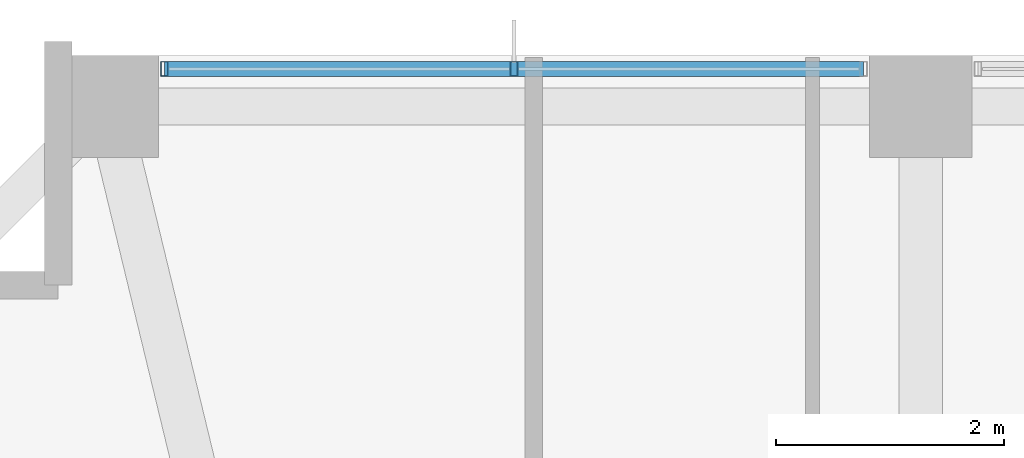
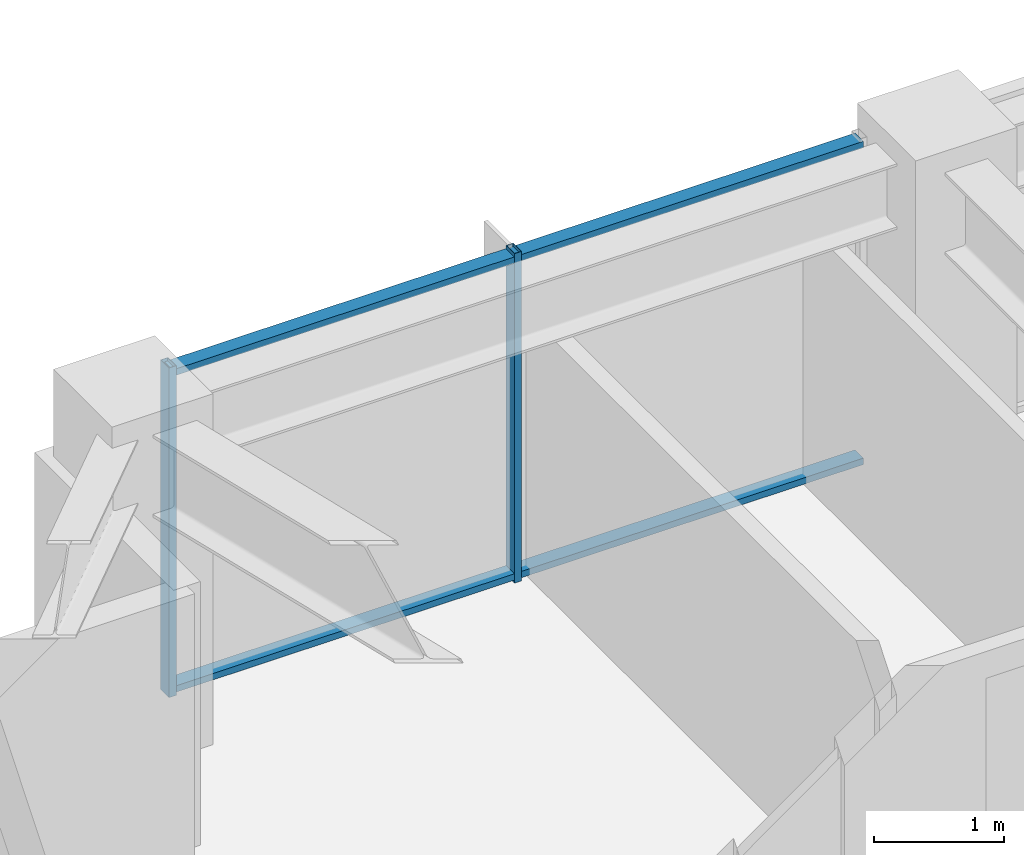
# One storey, part 18 of 32: 4 members, 1 element without a shape of its own.
"""IFC4 building model written with IfcOpenShell, lengths in metres."""

from ifc_helpers import new_model, si_unit, direction, frame, origin, origin_2d, place, context, subcontext, project, spatial, hollow_rectangle, extrude, material, material_profile, profile_set, type_object, element, aggregate, save


model = new_model("IFC4")

# Units and contexts
model_context = context("Model", 3, precision=1e-05, world=origin(), true_north=direction((0.0, 1.0)))
body_context = subcontext(model_context, "Body", "Model", "MODEL_VIEW")
ifc_project = project(units=[si_unit("LENGTHUNIT", "METRE"), si_unit("AREAUNIT", "SQUARE_METRE"), si_unit("VOLUMEUNIT", "CUBIC_METRE"), si_unit("PLANEANGLEUNIT", "RADIAN"), si_unit("MASSUNIT", "GRAM", prefix="KILO")], contexts=[model_context])

# Site, building, storey
site_placement = place(None, origin())
site = spatial("IfcSite", under=ifc_project, at=site_placement, CompositionType="ELEMENT")
building_placement = place(site_placement, origin())
building = spatial("IfcBuilding", under=site, at=building_placement, Name="Kolvaren Belvedere", CompositionType="ELEMENT")
storey_placement = place(building_placement, frame((0.0, 0.0, 141.5)))
storey = spatial("IfcBuildingStorey", under=building, at=storey_placement, Name="L41", CompositionType="ELEMENT", Elevation=141.5)

# Curtain wall, members
ifc_material_1 = material(Name="Anodised pale-metal aluminium AA 6063-T6", Category="aluminium")
curtain_wall_type = type_object("IfcCurtainWallType", Name="CW-Z3-WAIST", PredefinedType="NOTDEFINED", material=ifc_material_1)
curtain_wall_placement = place(storey_placement, origin())
curtain_wall = element("IfcCurtainWall", 1, at=curtain_wall_placement, inside=storey, type_object=curtain_wall_type, Name="L41 Unitised Curtain Wall FCW-L41-N-B1", PredefinedType="NOTDEFINED")
ifc_material_2 = material(Name="Anodised pale-metal aluminium AA 6063-T6", Category="aluminium")
ifc_material_profile_1 = material_profile(ifc_material_2, hollow_rectangle(XDim=0.06494140625, YDim=0.1298828125, WallThickness=0.00390625, at=origin_2d()), Name="ALU-MUL-130X65")
ifc_profile_set_1 = profile_set([ifc_material_profile_1], Name="Anodised pale-metal aluminium AA 6063-T6")
member_type_1 = type_object("IfcMemberType", Name="CW-MUL-130", PredefinedType="MULLION", material=ifc_profile_set_1)
member_1_placement = place(storey_placement, frame((-11.24755859375, 17.8798828125, 0.0), z_axis=(0.0, 0.0, 1.0), x_axis=(1.0, 0.0, 0.0)))
member_1 = element("IfcMember", 2, at=member_1_placement, type_object=member_type_1, Name="FCW-L41-N-B1 Unitised Mullion 1", PredefinedType="MULLION", context=body_context, shape_type="SweptSolid", body=[
    extrude(hollow_rectangle(XDim=0.06494140625, YDim=0.1298828125, WallThickness=0.00390625, at=origin_2d()), origin(), (0.0, 0.0, 1.0), 3.10009765625),
])
member_2_placement = place(storey_placement, frame((-8.175048828125, 17.8798828125, 0.0), z_axis=(0.0, 0.0, 1.0), x_axis=(1.0, 0.0, 0.0)))
member_2 = element("IfcMember", 3, at=member_2_placement, type_object=member_type_1, Name="FCW-L41-N-B1 Unitised Mullion 2", PredefinedType="MULLION", context=body_context, shape_type="SweptSolid", body=[
    extrude(hollow_rectangle(XDim=0.06494140625, YDim=0.1298828125, WallThickness=0.00390625, at=origin_2d()), origin(), (0.0, 0.0, 1.0), 3.10009765625),
])
ifc_material_3 = material(Name="Anodised pale-metal aluminium AA 6063-T6", Category="aluminium")
ifc_material_profile_2 = material_profile(ifc_material_3, hollow_rectangle(XDim=0.06005859375, YDim=0.1298828125, WallThickness=0.00390625, at=origin_2d()), Name="ALU-TRN-130X60")
ifc_profile_set_2 = profile_set([ifc_material_profile_2], Name="Anodised pale-metal aluminium AA 6063-T6")
member_type_2 = type_object("IfcMemberType", Name="CW-TRN-130", PredefinedType="USERDEFINED", material=ifc_profile_set_2)
member_3_placement = place(storey_placement, frame((-11.24755859375, 17.8798828125, 0.06005859375), z_axis=(1.0, 0.0, 0.0), x_axis=(0.0, 0.0, 1.0)))
member_3 = element("IfcMember", 4, at=member_3_placement, type_object=member_type_2, Name="FCW-L41-N-B1 Sill Transom", ObjectType="TRANSOM", PredefinedType="USERDEFINED", context=body_context, shape_type="SweptSolid", body=[
    extrude(hollow_rectangle(XDim=0.06005859375, YDim=0.1298828125, WallThickness=0.00390625, at=origin_2d()), origin(), (0.0, 0.0, 1.0), 6.14501953125),
])
member_4_placement = place(storey_placement, frame((-11.24755859375, 17.8798828125, 3.0400390625), z_axis=(1.0, 0.0, 0.0), x_axis=(0.0, 0.0, 1.0)))
member_4 = element("IfcMember", 5, at=member_4_placement, type_object=member_type_2, Name="FCW-L41-N-B1 Head Transom", ObjectType="TRANSOM", PredefinedType="USERDEFINED", context=body_context, shape_type="SweptSolid", body=[
    extrude(hollow_rectangle(XDim=0.06005859375, YDim=0.1298828125, WallThickness=0.00390625, at=origin_2d()), origin(), (0.0, 0.0, 1.0), 6.14501953125),
])
aggregate(curtain_wall, [member_1, member_2, member_3, member_4])

save(model, "model.ifc")
